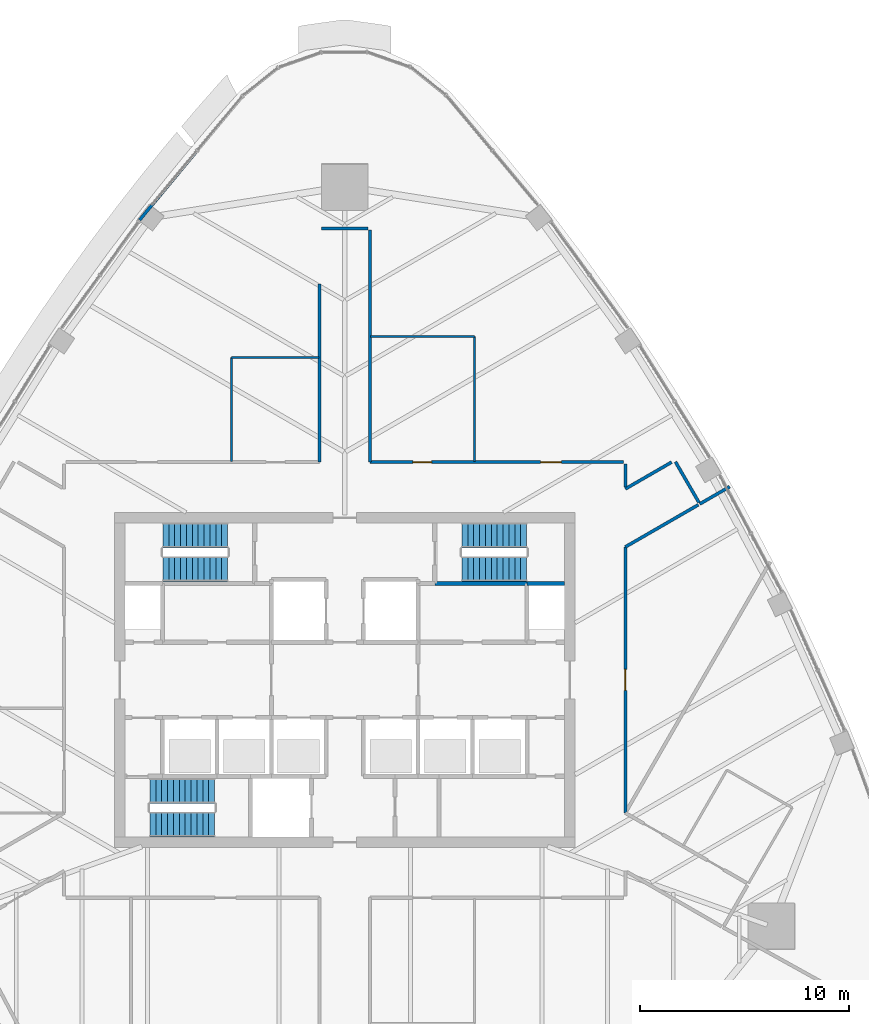
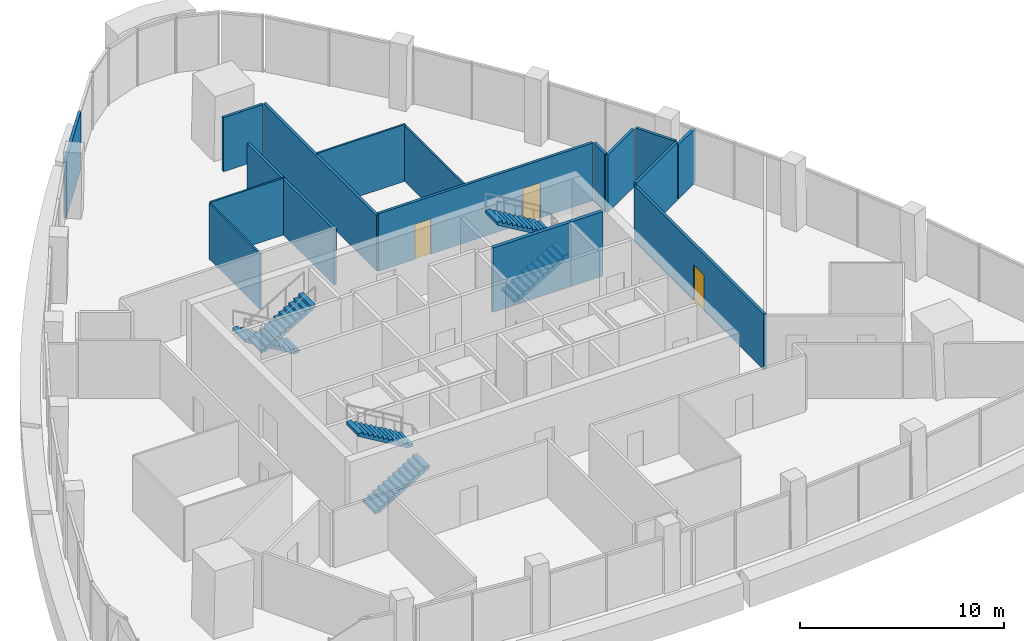
# One storey, part 11 of 15: 17 walls, 6 stair flights, 3 doors, 3 openings, 3 elements without a shape of their own.
"""IFC4 building model written with IfcOpenShell, lengths in metres."""

from ifc_helpers import new_model, si_unit, direction, frame, frame_2d, origin, place, context, subcontext, project, spatial, polyline, rectangle, outline, extrude, material, layer, layer_set, type_object, element, fill, aggregate, save


model = new_model("IFC4")

# Units and contexts
model_context = context("Model", 3, precision=1e-05, world=origin(), true_north=direction((0.0, 1.0)))
body_context = subcontext(model_context, "Body", "Model", "MODEL_VIEW")
ifc_project = project(units=[si_unit("LENGTHUNIT", "METRE"), si_unit("AREAUNIT", "SQUARE_METRE"), si_unit("VOLUMEUNIT", "CUBIC_METRE"), si_unit("PLANEANGLEUNIT", "RADIAN"), si_unit("MASSUNIT", "GRAM", prefix="KILO")], contexts=[model_context])

# Site, building, storey
site_placement = place(None, origin())
site = spatial("IfcSite", under=ifc_project, at=site_placement, CompositionType="ELEMENT")
building_placement = place(site_placement, origin())
building = spatial("IfcBuilding", under=site, at=building_placement, Name="Sierra Prisma Convention Tower", CompositionType="ELEMENT")
storey_placement = place(building_placement, frame((0.0, 0.0, 299.0)))
storey = spatial("IfcBuildingStorey", under=building, at=storey_placement, Name="L68", CompositionType="ELEMENT", Elevation=299.0)

# Walls
ifc_material_1 = material(Name="Gypsum board partition", Category="gypsum")
ifc_layer_1 = layer(ifc_material_1, 0.10009765625)
ifc_layer_set_1 = layer_set([ifc_layer_1], Name="Bathroom partition 100")
wall_type_1 = type_object("IfcWallType", Name="Bathroom partition 100", PredefinedType="PARTITIONING", material=ifc_layer_set_1)
wall_1_placement = place(storey_placement, frame((-5.39990234375, 10.429931640625, 0.0), z_axis=(0.0, 0.0, 1.0), x_axis=(0.0, 1.0, 0.0)))
element("IfcWall", 1, at=wall_1_placement, inside=storey, type_object=wall_type_1, Name="Partition L68 bath 4", PredefinedType="PARTITIONING", context=body_context, shape_type="SweptSolid", body=[
    extrude(rectangle(XDim=4.969970703125, YDim=0.10009765625, at=frame_2d((2.48486328125, 0.0))), origin(), (0.0, 0.0, 1.0), 3.31689453125),
])
wall_2_placement = place(storey_placement, frame((-5.39990234375, 15.39990234375, 0.0), z_axis=(0.0, 0.0, 1.0), x_axis=(1.0, 0.0, 0.0)))
element("IfcWall", 2, at=wall_2_placement, inside=storey, type_object=wall_type_1, Name="Partition L68 bath 5", PredefinedType="PARTITIONING", context=body_context, shape_type="SweptSolid", body=[
    extrude(rectangle(XDim=4.169921875, YDim=0.10009765625, at=frame_2d((2.0849609375, 0.0))), origin(), (0.0, 0.0, 1.0), 3.39306640625),
])
wall_3_placement = place(storey_placement, frame((1.22998046875, 16.39990234375, 0.0), z_axis=(0.0, 0.0, 1.0), x_axis=(1.0, 0.0, 0.0)))
element("IfcWall", 3, at=wall_3_placement, inside=storey, type_object=wall_type_1, Name="Partition L68 bath 8", PredefinedType="PARTITIONING", context=body_context, shape_type="SweptSolid", body=[
    extrude(rectangle(XDim=4.969970703125, YDim=0.10009765625, at=frame_2d((2.48486328125, 0.0))), origin(), (0.0, 0.0, 1.0), 3.39306640625),
])
wall_4_placement = place(storey_placement, frame((6.199951171875, 16.39990234375, 0.0), z_axis=(0.0, 0.0, 1.0), x_axis=(0.0, -1.0, 0.0)))
element("IfcWall", 4, at=wall_4_placement, inside=storey, type_object=wall_type_1, Name="Partition L68 bath 9", PredefinedType="PARTITIONING", context=body_context, shape_type="SweptSolid", body=[
    extrude(rectangle(XDim=5.969970703125, YDim=0.10009765625, at=frame_2d((2.98486328125, 0.0))), origin(), (0.0, 0.0, 1.0), 3.31689453125),
])
ifc_material_2 = material(Name="Concrete C30/37", Category="concrete")
ifc_layer_2 = layer(ifc_material_2, 0.199951171875)
ifc_layer_set_2 = layer_set([ifc_layer_2], Name="Core wall RC 200 C30/37")
wall_type_2 = type_object("IfcWallType", Name="Core wall RC 200 C30/37", PredefinedType="SOLIDWALL", material=ifc_layer_set_2)
wall_5_placement = place(storey_placement, frame((8.699951171875, 4.60009765625, 0.0), z_axis=(0.0, 0.0, 1.0), x_axis=(-1.0, 0.0, 0.0)))
element("IfcWall", 5, at=wall_5_placement, inside=storey, type_object=wall_type_2, Name="Core wall L68 48", PredefinedType="SOLIDWALL", context=body_context, shape_type="SweptSolid", body=[
    extrude(rectangle(XDim=4.39990234375, YDim=0.199951171875, at=frame_2d((2.199951171875, 0.0))), origin(), (0.0, 0.0, 1.0), 3.85009765625),
])
wall_6_placement = place(storey_placement, frame((10.5, 4.60009765625, 0.0), z_axis=(0.0, 0.0, 1.0), x_axis=(-1.0, 0.0, 0.0)))
element("IfcWall", 6, at=wall_6_placement, inside=storey, type_object=wall_type_2, Name="Core wall L68 60", PredefinedType="SOLIDWALL", context=body_context, shape_type="SweptSolid", body=[
    extrude(rectangle(XDim=1.800048828125, YDim=0.199951171875, at=frame_2d((0.89990234375, 0.0))), origin(), (0.0, 0.0, 1.0), 3.85009765625),
])
ifc_material_3 = material(Name="Gypsum board partition", Category="gypsum")
ifc_layer_3 = layer(ifc_material_3, 0.14990234375)
ifc_layer_set_3 = layer_set([ifc_layer_3], Name="Corridor wall 150 gypsum EI 60")
wall_type_3 = type_object("IfcWallType", Name="Corridor wall 150 gypsum EI 60", PredefinedType="PARTITIONING", material=ifc_layer_set_3)
wall_7_placement = place(storey_placement, frame((-1.199951171875, 18.89990234375, 0.0), z_axis=(0.0, 0.0, 1.0), x_axis=(0.0, -1.0, 0.0)))
element("IfcWall", 7, at=wall_7_placement, inside=storey, type_object=wall_type_3, Name="Partition L68 corr 12", PredefinedType="PARTITIONING", context=body_context, shape_type="SweptSolid", body=[
    extrude(rectangle(XDim=8.5, YDim=0.14990234375, at=frame_2d((4.25, 0.0))), origin(), (0.0, 0.0, 1.0), 3.31689453125),
])
wall_8_placement = place(storey_placement, frame((1.1201171875, 21.555908203125, 0.0), z_axis=(0.0, 0.0, 1.0), x_axis=(-1.0, 0.0, 0.0)))
element("IfcWall", 8, at=wall_8_placement, inside=storey, type_object=wall_type_3, Name="Partition L68 corr 15", PredefinedType="PARTITIONING", context=body_context, shape_type="SweptSolid", body=[
    extrude(rectangle(XDim=2.240234375, YDim=0.14990234375, at=frame_2d((1.1201171875, 0.0))), origin(), (0.0, 0.0, 1.0), 3.23291015625),
])

# Wall, openings, doors
wall_9_placement = place(storey_placement, frame((13.320068359375, 10.39990234375, 0.0), z_axis=(0.0, 0.0, 1.0), x_axis=(-1.0, 0.0, 0.0)))
wall_9 = element("IfcWall", 9, at=wall_9_placement, inside=storey, type_object=wall_type_3, Name="Partition L68 corr 18", PredefinedType="PARTITIONING", context=body_context, shape_type="SweptSolid", body=[
    extrude(rectangle(XDim=12.1201171875, YDim=0.14990234375, at=frame_2d((6.06005859375, 0.0))), origin(), (0.0, 0.0, 1.0), 3.443115234375),
])
opening_1_placement = place(wall_9_placement, frame((9.169921875, 0.0, 0.0)))
opening_1 = element("IfcOpeningElement", 10, at=opening_1_placement, cuts=wall_9, Name="Opening L68-D026", PredefinedType="OPENING", context=body_context, shape_type="SweptSolid", body=[
    extrude(rectangle(XDim=0.89990234375, YDim=2.10009765625, at=frame_2d((0.449951171875, 1.050048828125))), frame((0.0, 0.074951171875, 0.0), z_axis=(0.0, -1.0, 0.0), x_axis=(1.0, 0.0, 0.0)), (0.0, 0.0, 1.0), 0.14990234375),
])
opening_2_placement = place(wall_9_placement, frame((2.969970703125, 0.0, 0.0)))
opening_2 = element("IfcOpeningElement", 11, at=opening_2_placement, cuts=wall_9, Name="Opening L68-D027", PredefinedType="OPENING", context=body_context, shape_type="SweptSolid", body=[
    extrude(rectangle(XDim=1.0, YDim=2.10009765625, at=frame_2d((0.5, 1.050048828125))), frame((0.0, 0.074951171875, 0.0), z_axis=(0.0, -1.0, 0.0), x_axis=(1.0, 0.0, 0.0)), (0.0, 0.0, 1.0), 0.14990234375),
])
ifc_material_4 = material(Name="Steel fire door leaf", Category="steel")
door_type_1 = type_object("IfcDoorType", Name="Door 1000x2100 FD30S", OperationType="SINGLE_SWING_LEFT", PredefinedType="DOOR", material=ifc_material_4)
door_1_placement = place(opening_2_placement, origin())
door_1 = element("IfcDoor", 12, at=door_1_placement, inside=storey, type_object=door_type_1, Name="Door L68 3", OperationType="SINGLE_SWING_RIGHT", OverallHeight=2.10009765625, OverallWidth=1.0, PredefinedType="DOOR", context=body_context, shape_type="SweptSolid", body=[
    extrude(rectangle(XDim=1.0, YDim=2.10009765625, at=frame_2d((0.5, 1.050048828125))), frame((0.0, 0.02490234375, 0.0), z_axis=(0.0, -1.0, 0.0), x_axis=(1.0, 0.0, 0.0)), (0.0, 0.0, 1.0), 0.050048828125),
])
fill(opening_2, door_1)
ifc_material_5 = material(Name="Steel fire door leaf", Category="steel")
door_type_2 = type_object("IfcDoorType", Name="Door 900x2100 FD30S", OperationType="SINGLE_SWING_LEFT", PredefinedType="DOOR", material=ifc_material_5)
door_2_placement = place(opening_1_placement, origin())
door_2 = element("IfcDoor", 13, at=door_2_placement, inside=storey, type_object=door_type_2, Name="Door L68 2", OperationType="SINGLE_SWING_RIGHT", OverallHeight=2.10009765625, OverallWidth=0.89990234375, PredefinedType="DOOR", context=body_context, shape_type="SweptSolid", body=[
    extrude(rectangle(XDim=0.89990234375, YDim=2.10009765625, at=frame_2d((0.449951171875, 1.050048828125))), frame((0.0, 0.02490234375, 0.0), z_axis=(0.0, -1.0, 0.0), x_axis=(1.0, 0.0, 0.0)), (0.0, 0.0, 1.0), 0.050048828125),
])
fill(opening_1, door_2)

# Wall
wall_10_placement = place(storey_placement, frame((1.199951171875, 10.39990234375, 0.0), z_axis=(0.0, 0.0, 1.0), x_axis=(0.0, 1.0, 0.0)))
element("IfcWall", 14, at=wall_10_placement, inside=storey, type_object=wall_type_3, Name="Partition L68 corr 19", PredefinedType="PARTITIONING", context=body_context, shape_type="SweptSolid", body=[
    extrude(rectangle(XDim=11.076171875, YDim=0.14990234375, at=frame_2d((5.5380859375, 0.0))), origin(), (0.0, 0.0, 1.0), 3.31689453125),
])

# Wall, opening, door
wall_11_placement = place(storey_placement, frame((13.39990234375, -6.350830078125, 0.0), z_axis=(0.0, 0.0, 1.0), x_axis=(0.0, 1.0, 0.0)))
wall_11 = element("IfcWall", 15, at=wall_11_placement, inside=storey, type_object=wall_type_3, Name="Partition L68 corr 22", PredefinedType="PARTITIONING", context=body_context, shape_type="SweptSolid", body=[
    extrude(rectangle(XDim=12.70166015625, YDim=0.14990234375, at=frame_2d((6.350830078125, 0.0))), origin(), (0.0, 0.0, 1.0), 3.31689453125),
])
opening_3_placement = place(wall_11_placement, frame((5.850830078125, 0.0, 0.0)))
opening_3 = element("IfcOpeningElement", 16, at=opening_3_placement, cuts=wall_11, Name="Opening L68-D025", PredefinedType="OPENING", context=body_context, shape_type="SweptSolid", body=[
    extrude(rectangle(XDim=1.0, YDim=2.10009765625, at=frame_2d((0.5, 1.050048828125))), frame((0.0, 0.074951171875, 0.0), z_axis=(0.0, -1.0, 0.0), x_axis=(1.0, 0.0, 0.0)), (0.0, 0.0, 1.0), 0.14990234375),
])
door_3_placement = place(opening_3_placement, origin())
door_3 = element("IfcDoor", 17, at=door_3_placement, inside=storey, type_object=door_type_1, Name="Door L68 1", OperationType="SINGLE_SWING_RIGHT", OverallHeight=2.10009765625, OverallWidth=1.0, PredefinedType="DOOR", context=body_context, shape_type="SweptSolid", body=[
    extrude(rectangle(XDim=1.0, YDim=2.10009765625, at=frame_2d((0.5, 1.050048828125))), frame((0.0, 0.02490234375, 0.0), z_axis=(0.0, -1.0, 0.0), x_axis=(1.0, 0.0, 0.0)), (0.0, 0.0, 1.0), 0.050048828125),
])
fill(opening_3, door_3)

# Walls
wall_12_placement = place(storey_placement, frame((13.39990234375, 6.350830078125, 0.0), z_axis=(0.0, 0.0, 1.0), x_axis=(0.866040157966, 0.499974444137, 0.0)))
element("IfcWall", 18, at=wall_12_placement, inside=storey, type_object=wall_type_3, Name="Partition L68 corr 23", PredefinedType="PARTITIONING", context=body_context, shape_type="SweptSolid", body=[
    extrude(rectangle(XDim=4.025634765625, YDim=0.14990234375, at=frame_2d((2.0126953125, 0.0))), origin(), (0.0, 0.0, 1.0), 3.449951171875),
])
wall_13_placement = place(storey_placement, frame((15.61328125, 10.39990234375, 0.0), z_axis=(0.0, 0.0, 1.0), x_axis=(-0.866036056452, -0.499981548585, 0.0)))
element("IfcWall", 19, at=wall_13_placement, inside=storey, type_object=wall_type_3, Name="Partition L68 corr 25", PredefinedType="PARTITIONING", context=body_context, shape_type="SweptSolid", body=[
    extrude(rectangle(XDim=2.5556640625, YDim=0.14990234375, at=frame_2d((1.27783203125, 0.0))), origin(), (0.0, 0.0, 1.0), 3.449951171875),
])
wall_14_placement = place(storey_placement, frame((13.39990234375, 9.213623046875, 0.0), z_axis=(0.0, 0.0, 1.0), x_axis=(0.0, 1.0, 0.0)))
element("IfcWall", 20, at=wall_14_placement, inside=storey, type_object=wall_type_3, Name="Partition L68 corr 26", PredefinedType="PARTITIONING", context=body_context, shape_type="SweptSolid", body=[
    extrude(rectangle(XDim=1.1064453125, YDim=0.14990234375, at=frame_2d((0.55322265625, 0.0))), origin(), (0.0, 0.0, 1.0), 3.449951171875),
])
wall_15_placement = place(storey_placement, frame((16.91552734375, 8.472900390625, 0.0), z_axis=(0.0, 0.0, 1.0), x_axis=(-0.500030632641, 0.866007717299, 0.0)))
element("IfcWall", 21, at=wall_15_placement, inside=storey, type_object=wall_type_3, Name="Partition L68 corr 27", PredefinedType="PARTITIONING", context=body_context, shape_type="SweptSolid", body=[
    extrude(rectangle(XDim=2.239990234375, YDim=0.14990234375, at=frame_2d((1.1201171875, 0.0))), origin(), (0.0, 0.0, 1.0), 3.449951171875),
])
ifc_material_6 = material(Name="Gypsum board partition", Category="gypsum")
ifc_layer_4 = layer(ifc_material_6, 0.14990234375)
ifc_layer_set_4 = layer_set([ifc_layer_4], Name="Party wall 150 gypsum")
wall_type_4 = type_object("IfcWallType", Name="Party wall 150 gypsum", PredefinedType="PARTITIONING", material=ifc_layer_set_4)
wall_16_placement = place(storey_placement, frame((-9.7958984375, 21.96484375, 0.0), z_axis=(0.0, 0.0, 1.0), x_axis=(0.638342586173, 0.769752390498, 0.0)))
element("IfcWall", 22, at=wall_16_placement, inside=storey, type_object=wall_type_4, Name="Partition L68 party 6", PredefinedType="PARTITIONING", context=body_context, shape_type="SweptSolid", body=[
    extrude(rectangle(XDim=4.202392578125, YDim=0.14990234375, at=frame_2d((2.10107421875, 0.0))), origin(), (0.0, 0.0, 1.0), 3.449951171875),
])
wall_17_placement = place(storey_placement, frame((16.95556640625, 8.403564453125, 0.0), z_axis=(0.0, 0.0, 1.0), x_axis=(0.865983361098, 0.500072813, 0.0)))
element("IfcWall", 23, at=wall_17_placement, inside=storey, type_object=wall_type_4, Name="Partition L68 party 9", PredefinedType="PARTITIONING", context=body_context, shape_type="SweptSolid", body=[
    extrude(rectangle(XDim=1.648681640625, YDim=0.14990234375, at=frame_2d((0.82421875, 0.0))), origin(), (0.0, 0.0, 1.0), 3.23388671875),
])

# Stair, stair flights
ifc_material_7 = material(Name="Concrete C30/37", Category="concrete")
stair_type = type_object("IfcStairType", Name="Stair dog-leg 1200 RC", PredefinedType="HALF_TURN_STAIR", material=ifc_material_7)
stair_1_placement = place(storey_placement, origin())
stair_1 = element("IfcStair", 24, at=stair_1_placement, inside=storey, type_object=stair_type, Name="L68 S1", PredefinedType="HALF_TURN_STAIR")
ifc_material_8 = material(Name="Concrete C30/37", Category="concrete")
stair_flight_type = type_object("IfcStairFlightType", Name="Stair flight RC 1200", PredefinedType="STRAIGHT", material=ifc_material_8)
stair_flight_1_placement = place(storey_placement, frame((-9.300048828125, -6.89990234375, 0.0), z_axis=(0.0, 0.0, 1.0), x_axis=(1.0, 0.0, 0.0)))
stair_flight_1 = element("IfcStairFlight", 25, at=stair_flight_1_placement, type_object=stair_flight_type, Name="S1 flight 1", NumberOfRisers=12, NumberOfTreads=11, PredefinedType="STRAIGHT", RiserHeight=0.166666667, TreadLength=0.28, context=body_context, shape_type="SweptSolid", body=[
    extrude(outline(polyline([(0.0, 0.0), (0.0, 0.166748046875), (0.280029296875, 0.166748046875), (0.280029296875, 0.333251953125), (0.56005859375, 0.333251953125), (0.56005859375, 0.5), (0.840087890625, 0.5), (0.840087890625, 0.666748046875), (1.1201171875, 0.666748046875), (1.1201171875, 0.833251953125), (1.39990234375, 0.833251953125), (1.39990234375, 1.0), (1.679931640625, 1.0), (1.679931640625, 1.166748046875), (1.9599609375, 1.166748046875), (1.9599609375, 1.333251953125), (2.239990234375, 1.333251953125), (2.239990234375, 1.5), (2.52001953125, 1.5), (2.52001953125, 1.666748046875), (2.800048828125, 1.666748046875), (2.800048828125, 1.833251953125), (3.080078125, 1.833251953125), (3.080078125, 2.0), (3.080078125, 1.658935546875), (0.29296875, 0.0), (0.0, 0.0)])), frame((0.0, 0.60009765625, 0.0), z_axis=(0.0, -1.0, 0.0), x_axis=(1.0, 0.0, 0.0)), (0.0, 0.0, 1.0), 1.199951171875),
])
stair_flight_2_placement = place(storey_placement, frame((-6.219970703125, -5.300048828125, 2.0), z_axis=(0.0, 0.0, 1.0), x_axis=(-1.0, 0.0, 0.0)))
stair_flight_2 = element("IfcStairFlight", 26, at=stair_flight_2_placement, type_object=stair_flight_type, Name="S1 flight 2", NumberOfRisers=12, NumberOfTreads=11, PredefinedType="STRAIGHT", RiserHeight=0.166666667, TreadLength=0.28, context=body_context, shape_type="SweptSolid", body=[
    extrude(outline(polyline([(0.0, 0.0), (0.0, 0.166748046875), (0.280029296875, 0.166748046875), (0.280029296875, 0.333251953125), (0.56005859375, 0.333251953125), (0.56005859375, 0.5), (0.840087890625, 0.5), (0.840087890625, 0.666748046875), (1.1201171875, 0.666748046875), (1.1201171875, 0.833251953125), (1.39990234375, 0.833251953125), (1.39990234375, 1.0), (1.679931640625, 1.0), (1.679931640625, 1.166748046875), (1.9599609375, 1.166748046875), (1.9599609375, 1.333251953125), (2.239990234375, 1.333251953125), (2.239990234375, 1.5), (2.52001953125, 1.5), (2.52001953125, 1.666748046875), (2.800048828125, 1.666748046875), (2.800048828125, 1.833251953125), (3.080078125, 1.833251953125), (3.080078125, 2.0), (3.080078125, 1.658935546875), (0.29296875, 0.0), (0.0, 0.0)])), frame((0.0, 0.60009765625, 0.0), z_axis=(0.0, -1.0, 0.0), x_axis=(1.0, 0.0, 0.0)), (0.0, 0.0, 1.0), 1.199951171875),
])
aggregate(stair_1, [stair_flight_1, stair_flight_2])

stair_2_placement = place(storey_placement, origin())
stair_2 = element("IfcStair", 27, at=stair_2_placement, inside=storey, type_object=stair_type, Name="L68 S3", PredefinedType="HALF_TURN_STAIR")
stair_flight_3_placement = place(storey_placement, frame((-5.60009765625, 6.89990234375, 0.0), z_axis=(0.0, 0.0, 1.0), x_axis=(-1.0, 0.0, 0.0)))
stair_flight_3 = element("IfcStairFlight", 28, at=stair_flight_3_placement, type_object=stair_flight_type, Name="S3 flight 1", NumberOfRisers=12, NumberOfTreads=11, PredefinedType="STRAIGHT", RiserHeight=0.166666667, TreadLength=0.28, context=body_context, shape_type="SweptSolid", body=[
    extrude(outline(polyline([(0.0, 0.0), (0.0, 0.166748046875), (0.280029296875, 0.166748046875), (0.280029296875, 0.333251953125), (0.56005859375, 0.333251953125), (0.56005859375, 0.5), (0.840087890625, 0.5), (0.840087890625, 0.666748046875), (1.1201171875, 0.666748046875), (1.1201171875, 0.833251953125), (1.39990234375, 0.833251953125), (1.39990234375, 1.0), (1.679931640625, 1.0), (1.679931640625, 1.166748046875), (1.9599609375, 1.166748046875), (1.9599609375, 1.333251953125), (2.239990234375, 1.333251953125), (2.239990234375, 1.5), (2.52001953125, 1.5), (2.52001953125, 1.666748046875), (2.800048828125, 1.666748046875), (2.800048828125, 1.833251953125), (3.080078125, 1.833251953125), (3.080078125, 2.0), (3.080078125, 1.658935546875), (0.29296875, 0.0), (0.0, 0.0)])), frame((0.0, 0.60009765625, 0.0), z_axis=(0.0, -1.0, 0.0), x_axis=(1.0, 0.0, 0.0)), (0.0, 0.0, 1.0), 1.199951171875),
])
stair_flight_4_placement = place(storey_placement, frame((-8.679931640625, 5.300048828125, 2.0), z_axis=(0.0, 0.0, 1.0), x_axis=(1.0, 0.0, 0.0)))
stair_flight_4 = element("IfcStairFlight", 29, at=stair_flight_4_placement, type_object=stair_flight_type, Name="S3 flight 2", NumberOfRisers=12, NumberOfTreads=11, PredefinedType="STRAIGHT", RiserHeight=0.166666667, TreadLength=0.28, context=body_context, shape_type="SweptSolid", body=[
    extrude(outline(polyline([(0.0, 0.0), (0.0, 0.166748046875), (0.280029296875, 0.166748046875), (0.280029296875, 0.333251953125), (0.56005859375, 0.333251953125), (0.56005859375, 0.5), (0.840087890625, 0.5), (0.840087890625, 0.666748046875), (1.1201171875, 0.666748046875), (1.1201171875, 0.833251953125), (1.39990234375, 0.833251953125), (1.39990234375, 1.0), (1.679931640625, 1.0), (1.679931640625, 1.166748046875), (1.9599609375, 1.166748046875), (1.9599609375, 1.333251953125), (2.239990234375, 1.333251953125), (2.239990234375, 1.5), (2.52001953125, 1.5), (2.52001953125, 1.666748046875), (2.800048828125, 1.666748046875), (2.800048828125, 1.833251953125), (3.080078125, 1.833251953125), (3.080078125, 2.0), (3.080078125, 1.658935546875), (0.29296875, 0.0), (0.0, 0.0)])), frame((0.0, 0.60009765625, 0.0), z_axis=(0.0, -1.0, 0.0), x_axis=(1.0, 0.0, 0.0)), (0.0, 0.0, 1.0), 1.199951171875),
])
aggregate(stair_2, [stair_flight_3, stair_flight_4])

stair_3_placement = place(storey_placement, origin())
stair_3 = element("IfcStair", 30, at=stair_3_placement, inside=storey, type_object=stair_type, Name="L68 S4", PredefinedType="HALF_TURN_STAIR")
stair_flight_5_placement = place(storey_placement, frame((5.60009765625, 5.300048828125, 0.0), z_axis=(0.0, 0.0, 1.0), x_axis=(1.0, 0.0, 0.0)))
stair_flight_5 = element("IfcStairFlight", 31, at=stair_flight_5_placement, type_object=stair_flight_type, Name="S4 flight 1", NumberOfRisers=12, NumberOfTreads=11, PredefinedType="STRAIGHT", RiserHeight=0.166666667, TreadLength=0.28, context=body_context, shape_type="SweptSolid", body=[
    extrude(outline(polyline([(0.0, 0.0), (0.0, 0.166748046875), (0.280029296875, 0.166748046875), (0.280029296875, 0.333251953125), (0.56005859375, 0.333251953125), (0.56005859375, 0.5), (0.840087890625, 0.5), (0.840087890625, 0.666748046875), (1.1201171875, 0.666748046875), (1.1201171875, 0.833251953125), (1.39990234375, 0.833251953125), (1.39990234375, 1.0), (1.679931640625, 1.0), (1.679931640625, 1.166748046875), (1.9599609375, 1.166748046875), (1.9599609375, 1.333251953125), (2.239990234375, 1.333251953125), (2.239990234375, 1.5), (2.52001953125, 1.5), (2.52001953125, 1.666748046875), (2.800048828125, 1.666748046875), (2.800048828125, 1.833251953125), (3.080078125, 1.833251953125), (3.080078125, 2.0), (3.080078125, 1.658935546875), (0.29296875, 0.0), (0.0, 0.0)])), frame((0.0, 0.60009765625, 0.0), z_axis=(0.0, -1.0, 0.0), x_axis=(1.0, 0.0, 0.0)), (0.0, 0.0, 1.0), 1.199951171875),
])
stair_flight_6_placement = place(storey_placement, frame((8.679931640625, 6.89990234375, 2.0), z_axis=(0.0, 0.0, 1.0), x_axis=(-1.0, 0.0, 0.0)))
stair_flight_6 = element("IfcStairFlight", 32, at=stair_flight_6_placement, type_object=stair_flight_type, Name="S4 flight 2", NumberOfRisers=12, NumberOfTreads=11, PredefinedType="STRAIGHT", RiserHeight=0.166666667, TreadLength=0.28, context=body_context, shape_type="SweptSolid", body=[
    extrude(outline(polyline([(0.0, 0.0), (0.0, 0.166748046875), (0.280029296875, 0.166748046875), (0.280029296875, 0.333251953125), (0.56005859375, 0.333251953125), (0.56005859375, 0.5), (0.840087890625, 0.5), (0.840087890625, 0.666748046875), (1.1201171875, 0.666748046875), (1.1201171875, 0.833251953125), (1.39990234375, 0.833251953125), (1.39990234375, 1.0), (1.679931640625, 1.0), (1.679931640625, 1.166748046875), (1.9599609375, 1.166748046875), (1.9599609375, 1.333251953125), (2.239990234375, 1.333251953125), (2.239990234375, 1.5), (2.52001953125, 1.5), (2.52001953125, 1.666748046875), (2.800048828125, 1.666748046875), (2.800048828125, 1.833251953125), (3.080078125, 1.833251953125), (3.080078125, 2.0), (3.080078125, 1.658935546875), (0.29296875, 0.0), (0.0, 0.0)])), frame((0.0, 0.60009765625, 0.0), z_axis=(0.0, -1.0, 0.0), x_axis=(1.0, 0.0, 0.0)), (0.0, 0.0, 1.0), 1.199951171875),
])
aggregate(stair_3, [stair_flight_5, stair_flight_6])

save(model, "model.ifc")
